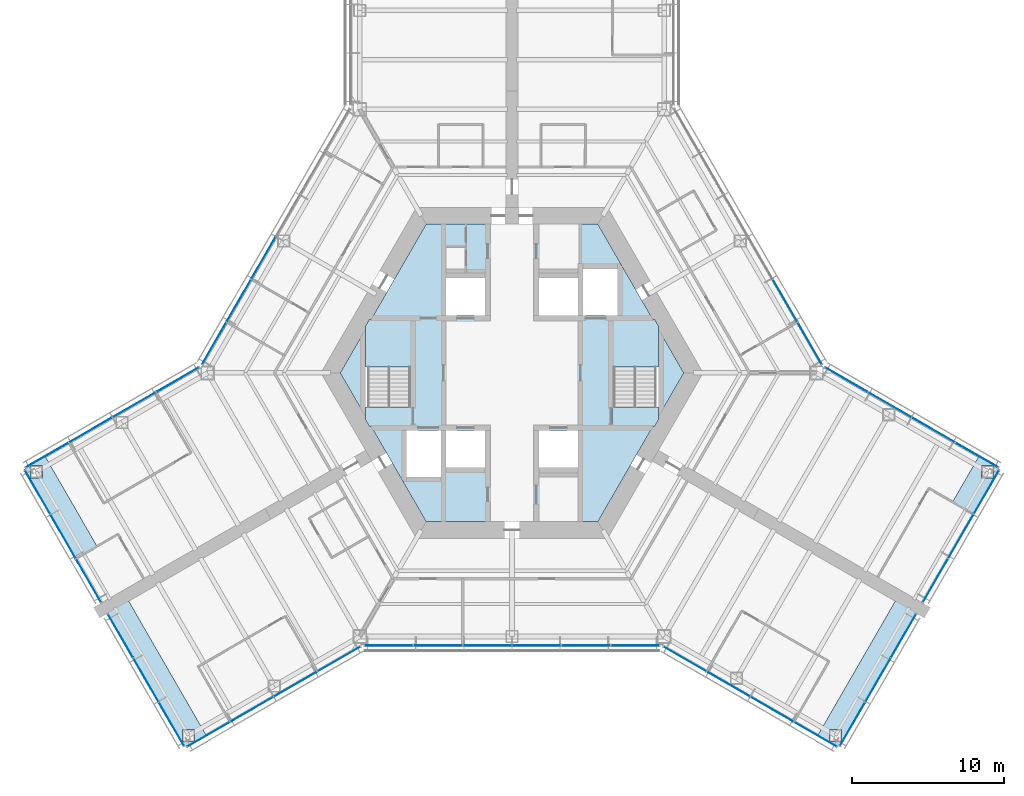
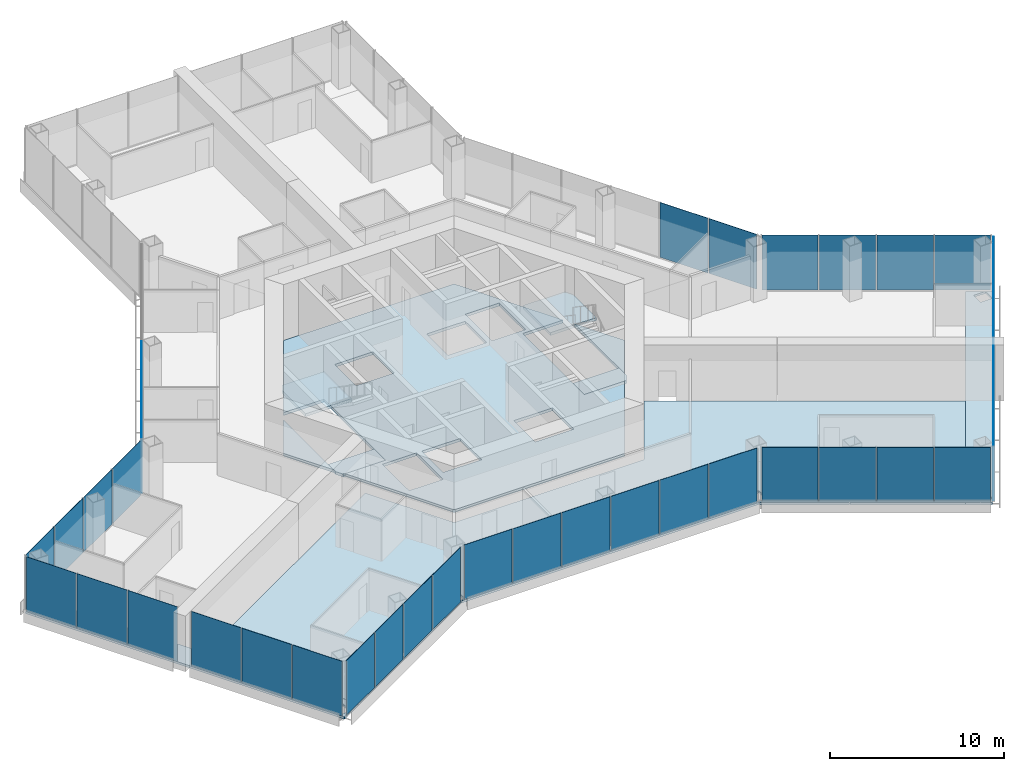
# One storey, part 10 of 18: 39 plates, 10 slabs, 13 elements without a shape of their own.
"""IFC4 building model written with IfcOpenShell, lengths in metres."""

from ifc_helpers import new_model, si_unit, direction, frame, origin, origin_2d, place, context, subcontext, project, spatial, polyline, rectangle, outline, extrude, material, layer, layer_set, type_object, element, aggregate, save


model = new_model("IFC4")

# Units and contexts
model_context = context("Model", 3, precision=1e-05, world=origin(), true_north=direction((0.0, 1.0)))
body_context = subcontext(model_context, "Body", "Model", "MODEL_VIEW")
ifc_project = project(units=[si_unit("LENGTHUNIT", "METRE"), si_unit("AREAUNIT", "SQUARE_METRE"), si_unit("VOLUMEUNIT", "CUBIC_METRE"), si_unit("PLANEANGLEUNIT", "RADIAN"), si_unit("MASSUNIT", "GRAM", prefix="KILO")], contexts=[model_context])

# Site, building, storey
site_placement = place(None, origin())
site = spatial("IfcSite", under=ifc_project, at=site_placement, CompositionType="ELEMENT")
building_placement = place(site_placement, origin())
building = spatial("IfcBuilding", under=site, at=building_placement, Name="Kasaneha Research Tower", CompositionType="ELEMENT")
storey_placement = place(building_placement, frame((0.0, 0.0, 76.800048828125)))
storey = spatial("IfcBuildingStorey", under=building, at=storey_placement, Name="L19", CompositionType="ELEMENT", Elevation=76.800048828125)

# Curtain wall, plates
ifc_material_1 = material(Name="Glass and aluminium", Category="aluminium")
curtain_wall_type = type_object("IfcCurtainWallType", Name="Low-rise office curtain wall", PredefinedType="USERDEFINED", material=ifc_material_1)
curtain_wall_1_placement = place(storey_placement, origin())
curtain_wall_1 = element("IfcCurtainWall", 1, at=curtain_wall_1_placement, inside=storey, type_object=curtain_wall_type, Name="CW-O1 L19 run 01a", ObjectType="UNITISED CURTAIN WALL", PredefinedType="USERDEFINED")
ifc_material_2 = material(Name="Laminated double glazing", Category="glass")
ifc_layer_1 = layer(ifc_material_2, 0.028076171875)
ifc_layer_set_1 = layer_set([ifc_layer_1], Name="CW-O1 glazed panel")
plate_type = type_object("IfcPlateType", Name="CW-O1 glazed panel", PredefinedType="CURTAIN_PANEL", material=ifc_layer_set_1)
plate_1_placement = place(storey_placement, frame((-19.945068359375, -23.755126953125, 0.06005859375), z_axis=(0.0, 0.0, 1.0), x_axis=(0.866025411464, 0.499999986699, 0.0)))
plate_1 = element("IfcPlate", 2, at=plate_1_placement, type_object=plate_type, Name="CW-O1 panel 1", PredefinedType="CURTAIN_PANEL", context=body_context, shape_type="SweptSolid", body=[
    extrude(rectangle(XDim=3.2197265625, YDim=0.028076171875, at=origin_2d()), origin(), (0.0, 0.0, 1.0), 3.840087890625),
])
plate_2_placement = place(storey_placement, frame((-17.091796875, -22.107666015625, 0.06005859375), z_axis=(0.0, 0.0, 1.0), x_axis=(0.866025411464, 0.499999986699, 0.0)))
plate_2 = element("IfcPlate", 3, at=plate_2_placement, type_object=plate_type, Name="CW-O1 panel 2", PredefinedType="CURTAIN_PANEL", context=body_context, shape_type="SweptSolid", body=[
    extrude(rectangle(XDim=3.249755859375, YDim=0.028076171875, at=origin_2d()), origin(), (0.0, 0.0, 1.0), 3.840087890625),
])
plate_3_placement = place(storey_placement, frame((-14.225341796875, -20.452880859375, 0.06005859375), z_axis=(0.0, 0.0, 1.0), x_axis=(0.866025411464, 0.499999986699, 0.0)))
plate_3 = element("IfcPlate", 4, at=plate_3_placement, type_object=plate_type, Name="CW-O1 panel 3", PredefinedType="CURTAIN_PANEL", context=body_context, shape_type="SweptSolid", body=[
    extrude(rectangle(XDim=3.249755859375, YDim=0.028076171875, at=origin_2d()), origin(), (0.0, 0.0, 1.0), 3.840087890625),
])
plate_4_placement = place(storey_placement, frame((-11.3720703125, -18.805419921875, 0.06005859375), z_axis=(0.0, 0.0, 1.0), x_axis=(0.866025411464, 0.499999986699, 0.0)))
plate_4 = element("IfcPlate", 5, at=plate_4_placement, type_object=plate_type, Name="CW-O1 panel 4", PredefinedType="CURTAIN_PANEL", context=body_context, shape_type="SweptSolid", body=[
    extrude(rectangle(XDim=3.2197265625, YDim=0.028076171875, at=origin_2d()), origin(), (0.0, 0.0, 1.0), 3.840087890625),
])
aggregate(curtain_wall_1, [plate_1, plate_2, plate_3, plate_4])

curtain_wall_2_placement = place(storey_placement, origin())
curtain_wall_2 = element("IfcCurtainWall", 6, at=curtain_wall_2_placement, inside=storey, type_object=curtain_wall_type, Name="CW-O1 L19 run 02a", ObjectType="UNITISED CURTAIN WALL", PredefinedType="USERDEFINED")
plate_5_placement = place(storey_placement, frame((-8.10107421875, -17.92041015625, 0.06005859375), z_axis=(0.0, 0.0, 1.0), x_axis=(1.0, 0.0, 0.0)))
plate_5 = element("IfcPlate", 7, at=plate_5_placement, type_object=plate_type, Name="CW-O1 panel 1", PredefinedType="CURTAIN_PANEL", context=body_context, shape_type="SweptSolid", body=[
    extrude(rectangle(XDim=3.156494140625, YDim=0.028076171875, at=origin_2d()), origin(), (0.0, 0.0, 1.0), 3.840087890625),
])
plate_6_placement = place(storey_placement, frame((-4.86962890625, -17.92041015625, 0.06005859375), z_axis=(0.0, 0.0, 1.0), x_axis=(1.0, 0.0, 0.0)))
plate_6 = element("IfcPlate", 8, at=plate_6_placement, type_object=plate_type, Name="CW-O1 panel 2", PredefinedType="CURTAIN_PANEL", context=body_context, shape_type="SweptSolid", body=[
    extrude(rectangle(XDim=3.1865234375, YDim=0.028076171875, at=origin_2d()), origin(), (0.0, 0.0, 1.0), 3.840087890625),
])
plate_7_placement = place(storey_placement, frame((-1.623291015625, -17.92041015625, 0.06005859375), z_axis=(0.0, 0.0, 1.0), x_axis=(1.0, 0.0, 0.0)))
plate_7 = element("IfcPlate", 9, at=plate_7_placement, type_object=plate_type, Name="CW-O1 panel 3", PredefinedType="CURTAIN_PANEL", context=body_context, shape_type="SweptSolid", body=[
    extrude(rectangle(XDim=3.1865234375, YDim=0.028076171875, at=origin_2d()), origin(), (0.0, 0.0, 1.0), 3.840087890625),
])
plate_8_placement = place(storey_placement, frame((1.623291015625, -17.92041015625, 0.06005859375), z_axis=(0.0, 0.0, 1.0), x_axis=(1.0, 0.0, 0.0)))
plate_8 = element("IfcPlate", 10, at=plate_8_placement, type_object=plate_type, Name="CW-O1 panel 4", PredefinedType="CURTAIN_PANEL", context=body_context, shape_type="SweptSolid", body=[
    extrude(rectangle(XDim=3.1865234375, YDim=0.028076171875, at=origin_2d()), origin(), (0.0, 0.0, 1.0), 3.840087890625),
])
plate_9_placement = place(storey_placement, frame((4.86962890625, -17.92041015625, 0.06005859375), z_axis=(0.0, 0.0, 1.0), x_axis=(1.0, 0.0, 0.0)))
plate_9 = element("IfcPlate", 11, at=plate_9_placement, type_object=plate_type, Name="CW-O1 panel 5", PredefinedType="CURTAIN_PANEL", context=body_context, shape_type="SweptSolid", body=[
    extrude(rectangle(XDim=3.1865234375, YDim=0.028076171875, at=origin_2d()), origin(), (0.0, 0.0, 1.0), 3.840087890625),
])
plate_10_placement = place(storey_placement, frame((8.10107421875, -17.92041015625, 0.06005859375), z_axis=(0.0, 0.0, 1.0), x_axis=(1.0, 0.0, 0.0)))
plate_10 = element("IfcPlate", 12, at=plate_10_placement, type_object=plate_type, Name="CW-O1 panel 6", PredefinedType="CURTAIN_PANEL", context=body_context, shape_type="SweptSolid", body=[
    extrude(rectangle(XDim=3.156494140625, YDim=0.028076171875, at=origin_2d()), origin(), (0.0, 0.0, 1.0), 3.840087890625),
])
aggregate(curtain_wall_2, [plate_5, plate_6, plate_7, plate_8, plate_9, plate_10])

curtain_wall_3_placement = place(storey_placement, origin())
curtain_wall_3 = element("IfcCurtainWall", 13, at=curtain_wall_3_placement, inside=storey, type_object=curtain_wall_type, Name="CW-O1 L19 run 03a", ObjectType="UNITISED CURTAIN WALL", PredefinedType="USERDEFINED")
plate_11_placement = place(storey_placement, frame((11.3720703125, -18.805419921875, 0.06005859375), z_axis=(0.0, 0.0, 1.0), x_axis=(0.866025411464, -0.499999986699, 0.0)))
plate_11 = element("IfcPlate", 14, at=plate_11_placement, type_object=plate_type, Name="CW-O1 panel 1", PredefinedType="CURTAIN_PANEL", context=body_context, shape_type="SweptSolid", body=[
    extrude(rectangle(XDim=3.2197265625, YDim=0.028076171875, at=origin_2d()), origin(), (0.0, 0.0, 1.0), 3.840087890625),
])
plate_12_placement = place(storey_placement, frame((14.225341796875, -20.452880859375, 0.06005859375), z_axis=(0.0, 0.0, 1.0), x_axis=(0.866025411464, -0.499999986699, 0.0)))
plate_12 = element("IfcPlate", 15, at=plate_12_placement, type_object=plate_type, Name="CW-O1 panel 2", PredefinedType="CURTAIN_PANEL", context=body_context, shape_type="SweptSolid", body=[
    extrude(rectangle(XDim=3.249755859375, YDim=0.028076171875, at=origin_2d()), origin(), (0.0, 0.0, 1.0), 3.840087890625),
])
plate_13_placement = place(storey_placement, frame((17.091796875, -22.107666015625, 0.06005859375), z_axis=(0.0, 0.0, 1.0), x_axis=(0.866025411464, -0.499999986699, 0.0)))
plate_13 = element("IfcPlate", 16, at=plate_13_placement, type_object=plate_type, Name="CW-O1 panel 3", PredefinedType="CURTAIN_PANEL", context=body_context, shape_type="SweptSolid", body=[
    extrude(rectangle(XDim=3.249755859375, YDim=0.028076171875, at=origin_2d()), origin(), (0.0, 0.0, 1.0), 3.840087890625),
])
plate_14_placement = place(storey_placement, frame((19.945068359375, -23.755126953125, 0.06005859375), z_axis=(0.0, 0.0, 1.0), x_axis=(0.866025411464, -0.499999986699, 0.0)))
plate_14 = element("IfcPlate", 17, at=plate_14_placement, type_object=plate_type, Name="CW-O1 panel 4", PredefinedType="CURTAIN_PANEL", context=body_context, shape_type="SweptSolid", body=[
    extrude(rectangle(XDim=3.2197265625, YDim=0.028076171875, at=origin_2d()), origin(), (0.0, 0.0, 1.0), 3.840087890625),
])
aggregate(curtain_wall_3, [plate_11, plate_12, plate_13, plate_14])

curtain_wall_4_placement = place(storey_placement, origin())
curtain_wall_4 = element("IfcCurtainWall", 18, at=curtain_wall_4_placement, inside=storey, type_object=curtain_wall_type, Name="CW-O1 L19 run 04a", ObjectType="UNITISED CURTAIN WALL", PredefinedType="USERDEFINED")
plate_15_placement = place(storey_placement, frame((22.377197265625, -23.082763671875, 0.06005859375), z_axis=(0.0, 0.0, 1.0), x_axis=(0.500000011442, 0.866025397178, 0.0)))
plate_15 = element("IfcPlate", 19, at=plate_15_placement, type_object=plate_type, Name="CW-O1 panel 1", PredefinedType="CURTAIN_PANEL", context=body_context, shape_type="SweptSolid", body=[
    extrude(rectangle(XDim=3.276611328125, YDim=0.028076171875, at=origin_2d()), origin(), (0.0, 0.0, 1.0), 3.840087890625),
])
plate_16_placement = place(storey_placement, frame((24.052978515625, -20.18017578125, 0.06005859375), z_axis=(0.0, 0.0, 1.0), x_axis=(0.500000011442, 0.866025397178, 0.0)))
plate_16 = element("IfcPlate", 20, at=plate_16_placement, type_object=plate_type, Name="CW-O1 panel 2", PredefinedType="CURTAIN_PANEL", context=body_context, shape_type="SweptSolid", body=[
    extrude(rectangle(XDim=3.306640625, YDim=0.028076171875, at=origin_2d()), origin(), (0.0, 0.0, 1.0), 3.840087890625),
])
plate_17_placement = place(storey_placement, frame((25.728759765625, -17.27734375, 0.06005859375), z_axis=(0.0, 0.0, 1.0), x_axis=(0.500000011442, 0.866025397178, 0.0)))
plate_17 = element("IfcPlate", 21, at=plate_17_placement, type_object=plate_type, Name="CW-O1 panel 3", PredefinedType="CURTAIN_PANEL", context=body_context, shape_type="SweptSolid", body=[
    extrude(rectangle(XDim=3.276611328125, YDim=0.028076171875, at=origin_2d()), origin(), (0.0, 0.0, 1.0), 3.840087890625),
])
aggregate(curtain_wall_4, [plate_15, plate_16, plate_17])

curtain_wall_5_placement = place(storey_placement, origin())
curtain_wall_5 = element("IfcCurtainWall", 22, at=curtain_wall_5_placement, inside=storey, type_object=curtain_wall_type, Name="CW-O1 L19 run 05a", ObjectType="UNITISED CURTAIN WALL", PredefinedType="USERDEFINED")
plate_18_placement = place(storey_placement, frame((27.8271484375, -13.64306640625, 0.06005859375), z_axis=(0.0, 0.0, 1.0), x_axis=(0.500000011442, 0.866025397178, 0.0)))
plate_18 = element("IfcPlate", 23, at=plate_18_placement, type_object=plate_type, Name="CW-O1 panel 1", PredefinedType="CURTAIN_PANEL", context=body_context, shape_type="SweptSolid", body=[
    extrude(rectangle(XDim=3.276611328125, YDim=0.028076171875, at=origin_2d()), origin(), (0.0, 0.0, 1.0), 3.840087890625),
])
plate_19_placement = place(storey_placement, frame((29.5029296875, -10.740478515625, 0.06005859375), z_axis=(0.0, 0.0, 1.0), x_axis=(0.500000011442, 0.866025397178, 0.0)))
plate_19 = element("IfcPlate", 24, at=plate_19_placement, type_object=plate_type, Name="CW-O1 panel 2", PredefinedType="CURTAIN_PANEL", context=body_context, shape_type="SweptSolid", body=[
    extrude(rectangle(XDim=3.306640625, YDim=0.028076171875, at=origin_2d()), origin(), (0.0, 0.0, 1.0), 3.840087890625),
])
plate_20_placement = place(storey_placement, frame((31.1787109375, -7.837890625, 0.06005859375), z_axis=(0.0, 0.0, 1.0), x_axis=(0.500000011442, 0.866025397178, 0.0)))
plate_20 = element("IfcPlate", 25, at=plate_20_placement, type_object=plate_type, Name="CW-O1 panel 3", PredefinedType="CURTAIN_PANEL", context=body_context, shape_type="SweptSolid", body=[
    extrude(rectangle(XDim=3.276611328125, YDim=0.028076171875, at=origin_2d()), origin(), (0.0, 0.0, 1.0), 3.840087890625),
])
aggregate(curtain_wall_5, [plate_18, plate_19, plate_20])

curtain_wall_6_placement = place(storey_placement, origin())
curtain_wall_6 = element("IfcCurtainWall", 26, at=curtain_wall_6_placement, inside=storey, type_object=curtain_wall_type, Name="CW-O1 L19 run 06a", ObjectType="UNITISED CURTAIN WALL", PredefinedType="USERDEFINED")
plate_21_placement = place(storey_placement, frame((30.545166015625, -5.3955078125, 0.06005859375), z_axis=(0.0, 0.0, 1.0), x_axis=(-0.866025411464, 0.499999986699, 0.0)))
plate_21 = element("IfcPlate", 27, at=plate_21_placement, type_object=plate_type, Name="CW-O1 panel 1", PredefinedType="CURTAIN_PANEL", context=body_context, shape_type="SweptSolid", body=[
    extrude(rectangle(XDim=3.2197265625, YDim=0.028076171875, at=origin_2d()), origin(), (0.0, 0.0, 1.0), 3.840087890625),
])
plate_22_placement = place(storey_placement, frame((27.69189453125, -3.748046875, 0.06005859375), z_axis=(0.0, 0.0, 1.0), x_axis=(-0.866025411464, 0.499999986699, 0.0)))
plate_22 = element("IfcPlate", 28, at=plate_22_placement, type_object=plate_type, Name="CW-O1 panel 2", PredefinedType="CURTAIN_PANEL", context=body_context, shape_type="SweptSolid", body=[
    extrude(rectangle(XDim=3.249755859375, YDim=0.028076171875, at=origin_2d()), origin(), (0.0, 0.0, 1.0), 3.840087890625),
])
plate_23_placement = place(storey_placement, frame((24.825439453125, -2.093017578125, 0.06005859375), z_axis=(0.0, 0.0, 1.0), x_axis=(-0.866025411464, 0.499999986699, 0.0)))
plate_23 = element("IfcPlate", 29, at=plate_23_placement, type_object=plate_type, Name="CW-O1 panel 3", PredefinedType="CURTAIN_PANEL", context=body_context, shape_type="SweptSolid", body=[
    extrude(rectangle(XDim=3.249755859375, YDim=0.028076171875, at=origin_2d()), origin(), (0.0, 0.0, 1.0), 3.840087890625),
])
plate_24_placement = place(storey_placement, frame((21.971923828125, -0.44580078125, 0.06005859375), z_axis=(0.0, 0.0, 1.0), x_axis=(-0.866025411464, 0.499999986699, 0.0)))
plate_24 = element("IfcPlate", 30, at=plate_24_placement, type_object=plate_type, Name="CW-O1 panel 4", PredefinedType="CURTAIN_PANEL", context=body_context, shape_type="SweptSolid", body=[
    extrude(rectangle(XDim=3.2197265625, YDim=0.028076171875, at=origin_2d()), origin(), (0.0, 0.0, 1.0), 3.840087890625),
])
aggregate(curtain_wall_6, [plate_21, plate_22, plate_23, plate_24])

curtain_wall_7_placement = place(storey_placement, origin())
curtain_wall_7 = element("IfcCurtainWall", 31, at=curtain_wall_7_placement, inside=storey, type_object=curtain_wall_type, Name="CW-O1 L19 run 07a", ObjectType="UNITISED CURTAIN WALL", PredefinedType="USERDEFINED")
plate_25_placement = place(storey_placement, frame((19.570068359375, 1.944580078125, 0.06005859375), z_axis=(0.0, 0.0, 1.0), x_axis=(-0.49999996188, 0.866025425793, 0.0)))
plate_25 = element("IfcPlate", 32, at=plate_25_placement, type_object=plate_type, Name="CW-O1 panel 1", PredefinedType="CURTAIN_PANEL", context=body_context, shape_type="SweptSolid", body=[
    extrude(rectangle(XDim=3.156494140625, YDim=0.028076171875, at=origin_2d()), origin(), (0.0, 0.0, 1.0), 3.840087890625),
])
plate_26_placement = place(storey_placement, frame((17.954345703125, 4.7431640625, 0.06005859375), z_axis=(0.0, 0.0, 1.0), x_axis=(-0.49999996188, 0.866025425793, 0.0)))
plate_26 = element("IfcPlate", 33, at=plate_26_placement, type_object=plate_type, Name="CW-O1 panel 2", PredefinedType="CURTAIN_PANEL", context=body_context, shape_type="SweptSolid", body=[
    extrude(rectangle(XDim=3.1865234375, YDim=0.028076171875, at=origin_2d()), origin(), (0.0, 0.0, 1.0), 3.840087890625),
])
aggregate(curtain_wall_7, [plate_25, plate_26])

curtain_wall_8_placement = place(storey_placement, origin())
curtain_wall_8 = element("IfcCurtainWall", 34, at=curtain_wall_8_placement, inside=storey, type_object=curtain_wall_type, Name="CW-O1 L19 run 12a", ObjectType="UNITISED CURTAIN WALL", PredefinedType="USERDEFINED")
plate_27_placement = place(storey_placement, frame((-16.331298828125, 7.554443359375, 0.06005859375), z_axis=(0.0, 0.0, 1.0), x_axis=(-0.49999996188, -0.866025425793, 0.0)))
plate_27 = element("IfcPlate", 35, at=plate_27_placement, type_object=plate_type, Name="CW-O1 panel 4", PredefinedType="CURTAIN_PANEL", context=body_context, shape_type="SweptSolid", body=[
    extrude(rectangle(XDim=3.1865234375, YDim=0.028076171875, at=origin_2d()), origin(), (0.0, 0.0, 1.0), 3.840087890625),
])
plate_28_placement = place(storey_placement, frame((-17.954345703125, 4.7431640625, 0.06005859375), z_axis=(0.0, 0.0, 1.0), x_axis=(-0.49999996188, -0.866025425793, 0.0)))
plate_28 = element("IfcPlate", 36, at=plate_28_placement, type_object=plate_type, Name="CW-O1 panel 5", PredefinedType="CURTAIN_PANEL", context=body_context, shape_type="SweptSolid", body=[
    extrude(rectangle(XDim=3.1865234375, YDim=0.028076171875, at=origin_2d()), origin(), (0.0, 0.0, 1.0), 3.840087890625),
])
plate_29_placement = place(storey_placement, frame((-19.570068359375, 1.944580078125, 0.06005859375), z_axis=(0.0, 0.0, 1.0), x_axis=(-0.49999996188, -0.866025425793, 0.0)))
plate_29 = element("IfcPlate", 37, at=plate_29_placement, type_object=plate_type, Name="CW-O1 panel 6", PredefinedType="CURTAIN_PANEL", context=body_context, shape_type="SweptSolid", body=[
    extrude(rectangle(XDim=3.156494140625, YDim=0.028076171875, at=origin_2d()), origin(), (0.0, 0.0, 1.0), 3.840087890625),
])
aggregate(curtain_wall_8, [plate_27, plate_28, plate_29])

curtain_wall_9_placement = place(storey_placement, origin())
curtain_wall_9 = element("IfcCurtainWall", 38, at=curtain_wall_9_placement, inside=storey, type_object=curtain_wall_type, Name="CW-O1 L19 run 13a", ObjectType="UNITISED CURTAIN WALL", PredefinedType="USERDEFINED")
plate_30_placement = place(storey_placement, frame((-21.971923828125, -0.44580078125, 0.06005859375), z_axis=(0.0, 0.0, 1.0), x_axis=(-0.866025411464, -0.499999986699, 0.0)))
plate_30 = element("IfcPlate", 39, at=plate_30_placement, type_object=plate_type, Name="CW-O1 panel 1", PredefinedType="CURTAIN_PANEL", context=body_context, shape_type="SweptSolid", body=[
    extrude(rectangle(XDim=3.2197265625, YDim=0.028076171875, at=origin_2d()), origin(), (0.0, 0.0, 1.0), 3.840087890625),
])
plate_31_placement = place(storey_placement, frame((-24.825439453125, -2.093017578125, 0.06005859375), z_axis=(0.0, 0.0, 1.0), x_axis=(-0.866025411464, -0.499999986699, 0.0)))
plate_31 = element("IfcPlate", 40, at=plate_31_placement, type_object=plate_type, Name="CW-O1 panel 2", PredefinedType="CURTAIN_PANEL", context=body_context, shape_type="SweptSolid", body=[
    extrude(rectangle(XDim=3.249755859375, YDim=0.028076171875, at=origin_2d()), origin(), (0.0, 0.0, 1.0), 3.840087890625),
])
plate_32_placement = place(storey_placement, frame((-27.69189453125, -3.748046875, 0.06005859375), z_axis=(0.0, 0.0, 1.0), x_axis=(-0.866025411464, -0.499999986699, 0.0)))
plate_32 = element("IfcPlate", 41, at=plate_32_placement, type_object=plate_type, Name="CW-O1 panel 3", PredefinedType="CURTAIN_PANEL", context=body_context, shape_type="SweptSolid", body=[
    extrude(rectangle(XDim=3.249755859375, YDim=0.028076171875, at=origin_2d()), origin(), (0.0, 0.0, 1.0), 3.840087890625),
])
plate_33_placement = place(storey_placement, frame((-30.545166015625, -5.3955078125, 0.06005859375), z_axis=(0.0, 0.0, 1.0), x_axis=(-0.866025411464, -0.499999986699, 0.0)))
plate_33 = element("IfcPlate", 42, at=plate_33_placement, type_object=plate_type, Name="CW-O1 panel 4", PredefinedType="CURTAIN_PANEL", context=body_context, shape_type="SweptSolid", body=[
    extrude(rectangle(XDim=3.2197265625, YDim=0.028076171875, at=origin_2d()), origin(), (0.0, 0.0, 1.0), 3.840087890625),
])
aggregate(curtain_wall_9, [plate_30, plate_31, plate_32, plate_33])

curtain_wall_10_placement = place(storey_placement, origin())
curtain_wall_10 = element("IfcCurtainWall", 43, at=curtain_wall_10_placement, inside=storey, type_object=curtain_wall_type, Name="CW-O1 L19 run 14a", ObjectType="UNITISED CURTAIN WALL", PredefinedType="USERDEFINED")
plate_34_placement = place(storey_placement, frame((-31.1787109375, -7.837890625, 0.06005859375), z_axis=(0.0, 0.0, 1.0), x_axis=(0.500000011442, -0.866025397178, 0.0)))
plate_34 = element("IfcPlate", 44, at=plate_34_placement, type_object=plate_type, Name="CW-O1 panel 1", PredefinedType="CURTAIN_PANEL", context=body_context, shape_type="SweptSolid", body=[
    extrude(rectangle(XDim=3.276611328125, YDim=0.028076171875, at=origin_2d()), origin(), (0.0, 0.0, 1.0), 3.840087890625),
])
plate_35_placement = place(storey_placement, frame((-29.5029296875, -10.740478515625, 0.06005859375), z_axis=(0.0, 0.0, 1.0), x_axis=(0.500000011442, -0.866025397178, 0.0)))
plate_35 = element("IfcPlate", 45, at=plate_35_placement, type_object=plate_type, Name="CW-O1 panel 2", PredefinedType="CURTAIN_PANEL", context=body_context, shape_type="SweptSolid", body=[
    extrude(rectangle(XDim=3.306640625, YDim=0.028076171875, at=origin_2d()), origin(), (0.0, 0.0, 1.0), 3.840087890625),
])
plate_36_placement = place(storey_placement, frame((-27.8271484375, -13.64306640625, 0.06005859375), z_axis=(0.0, 0.0, 1.0), x_axis=(0.500000011442, -0.866025397178, 0.0)))
plate_36 = element("IfcPlate", 46, at=plate_36_placement, type_object=plate_type, Name="CW-O1 panel 3", PredefinedType="CURTAIN_PANEL", context=body_context, shape_type="SweptSolid", body=[
    extrude(rectangle(XDim=3.276611328125, YDim=0.028076171875, at=origin_2d()), origin(), (0.0, 0.0, 1.0), 3.840087890625),
])
aggregate(curtain_wall_10, [plate_34, plate_35, plate_36])

curtain_wall_11_placement = place(storey_placement, origin())
curtain_wall_11 = element("IfcCurtainWall", 47, at=curtain_wall_11_placement, inside=storey, type_object=curtain_wall_type, Name="CW-O1 L19 run 15a", ObjectType="UNITISED CURTAIN WALL", PredefinedType="USERDEFINED")
plate_37_placement = place(storey_placement, frame((-25.728759765625, -17.27734375, 0.06005859375), z_axis=(0.0, 0.0, 1.0), x_axis=(0.500000011442, -0.866025397178, 0.0)))
plate_37 = element("IfcPlate", 48, at=plate_37_placement, type_object=plate_type, Name="CW-O1 panel 1", PredefinedType="CURTAIN_PANEL", context=body_context, shape_type="SweptSolid", body=[
    extrude(rectangle(XDim=3.276611328125, YDim=0.028076171875, at=origin_2d()), origin(), (0.0, 0.0, 1.0), 3.840087890625),
])
plate_38_placement = place(storey_placement, frame((-24.052978515625, -20.18017578125, 0.06005859375), z_axis=(0.0, 0.0, 1.0), x_axis=(0.500000011442, -0.866025397178, 0.0)))
plate_38 = element("IfcPlate", 49, at=plate_38_placement, type_object=plate_type, Name="CW-O1 panel 2", PredefinedType="CURTAIN_PANEL", context=body_context, shape_type="SweptSolid", body=[
    extrude(rectangle(XDim=3.306640625, YDim=0.028076171875, at=origin_2d()), origin(), (0.0, 0.0, 1.0), 3.840087890625),
])
plate_39_placement = place(storey_placement, frame((-22.377197265625, -23.082763671875, 0.06005859375), z_axis=(0.0, 0.0, 1.0), x_axis=(0.500000011442, -0.866025397178, 0.0)))
plate_39 = element("IfcPlate", 50, at=plate_39_placement, type_object=plate_type, Name="CW-O1 panel 3", PredefinedType="CURTAIN_PANEL", context=body_context, shape_type="SweptSolid", body=[
    extrude(rectangle(XDim=3.276611328125, YDim=0.028076171875, at=origin_2d()), origin(), (0.0, 0.0, 1.0), 3.840087890625),
])
aggregate(curtain_wall_11, [plate_37, plate_38, plate_39])

# Slabs
ifc_material_3 = material(Name="Concrete Fc24", Category="concrete")
ifc_layer_2 = layer(ifc_material_3, 0.199951171875)
ifc_layer_set_2 = layer_set([ifc_layer_2], Name="Core floor slab 200")
slab_type_1 = type_object("IfcSlabType", Name="Core floor slab 200", PredefinedType="FLOOR", material=ifc_layer_set_2)
slab_1_placement = place(storey_placement, frame((0.0, 0.0, -0.199951171875)))
element("IfcSlab", 51, at=slab_1_placement, inside=storey, type_object=slab_type_1, Name="Core slab L19", PredefinedType="FLOOR", context=body_context, shape_type="SweptSolid", body=[
    extrude(outline(polyline([(-11.287109375, 0.0), (-9.625, 2.87890625), (-9.625, -2.87890625), (-11.287109375, 0.0)])), origin(), (0.0, 0.0, 1.0), 0.199951171875),
])
slab_2_placement = place(storey_placement, frame((0.0, 0.0, -0.199951171875)))
element("IfcSlab", 52, at=slab_2_placement, inside=storey, type_object=slab_type_1, Name="Core slab L19", PredefinedType="FLOOR", context=body_context, shape_type="SweptSolid", body=[
    extrude(outline(polyline([(-5.6435546875, 9.77490234375), (5.6435546875, 9.77490234375), (9.251953125, 3.52490234375), (6.574951171875, 3.52490234375), (6.574951171875, -3.52490234375), (9.251953125, -3.52490234375), (5.6435546875, -9.77490234375), (-5.6435546875, -9.77490234375), (-9.251953125, -3.52490234375), (-6.574951171875, -3.52490234375), (-6.574951171875, 3.52490234375), (-9.251953125, 3.52490234375), (-5.6435546875, 9.77490234375)]), holes=[polyline([(-6.925048828125, -3.77490234375), (-6.925048828125, -6.824951171875), (-4.675048828125, -6.824951171875), (-4.675048828125, -3.77490234375), (-6.925048828125, -3.77490234375)]), polyline([(-4.324951171875, -3.77490234375), (-4.324951171875, -6.22509765625), (-1.77490234375, -6.22509765625), (-1.77490234375, -3.77490234375), (-4.324951171875, -3.77490234375)]), polyline([(1.77490234375, -3.77490234375), (1.77490234375, -6.22509765625), (4.324951171875, -6.22509765625), (4.324951171875, -3.77490234375), (1.77490234375, -3.77490234375)]), polyline([(-4.324951171875, 6.22509765625), (-4.324951171875, 3.77490234375), (-1.77490234375, 3.77490234375), (-1.77490234375, 6.22509765625), (-4.324951171875, 6.22509765625)]), polyline([(1.77490234375, 6.22509765625), (1.77490234375, 3.77490234375), (4.324951171875, 3.77490234375), (4.324951171875, 6.22509765625), (1.77490234375, 6.22509765625)]), polyline([(4.675048828125, 6.824951171875), (4.675048828125, 3.77490234375), (6.925048828125, 3.77490234375), (6.925048828125, 6.824951171875), (4.675048828125, 6.824951171875)])]), origin(), (0.0, 0.0, 1.0), 0.199951171875),
])
slab_3_placement = place(storey_placement, frame((0.0, 0.0, -0.199951171875)))
element("IfcSlab", 53, at=slab_3_placement, inside=storey, type_object=slab_type_1, Name="Core slab L19", PredefinedType="FLOOR", context=body_context, shape_type="SweptSolid", body=[
    extrude(outline(polyline([(11.287109375, 0.0), (9.625, -2.87890625), (9.625, 2.87890625), (11.287109375, 0.0)])), origin(), (0.0, 0.0, 1.0), 0.199951171875),
])
ifc_material_4 = material(Name="Concrete Fc24", Category="concrete")
ifc_layer_3 = layer(ifc_material_4, 0.14990234375)
ifc_layer_set_3 = layer_set([ifc_layer_3], Name="Floor slab 150")
slab_type_2 = type_object("IfcSlabType", Name="Floor slab 150", PredefinedType="FLOOR", material=ifc_layer_set_3)
slab_4_placement = place(storey_placement, frame((0.0, 0.0, -0.150146484375)))
element("IfcSlab", 54, at=slab_4_placement, inside=storey, type_object=slab_type_2, Name="Floor slab L19 1", PredefinedType="FLOOR", context=body_context, shape_type="SweptSolid", body=[
    extrude(outline(polyline([(-25.1923828125, -15.006591796875), (-25.18359375, -15.001708984375), (-20.108642578125, -23.791748046875), (-21.459716796875, -24.57177734375), (-21.65576171875, -24.232177734375), (-21.644287109375, -24.220703125), (-20.858154296875, -24.220703125), (-20.858154296875, -23.42041015625), (-21.658447265625, -23.42041015625), (-21.658447265625, -24.20654296875), (-21.666015625, -24.214111328125), (-31.65576171875, -6.91162109375), (-31.644287109375, -6.900146484375), (-30.858154296875, -6.900146484375), (-30.858154296875, -6.099853515625), (-31.658447265625, -6.099853515625), (-31.658447265625, -6.885986328125), (-31.666015625, -6.8935546875), (-32.009521484375, -6.298583984375), (-30.65869140625, -5.518798828125), (-25.583740234375, -14.308837890625), (-25.59228515625, -14.313720703125), (-25.1923828125, -15.006591796875)])), origin(), (0.0, 0.0, 1.0), 0.150146484375),
])
slab_5_placement = place(storey_placement, frame((0.0, 0.0, -0.150146484375)))
element("IfcSlab", 55, at=slab_5_placement, inside=storey, type_object=slab_type_2, Name="Floor slab L19 4", PredefinedType="FLOOR", context=body_context, shape_type="SweptSolid", body=[
    extrude(outline(polyline([(-6.278564453125, -10.875), (6.278564453125, -10.875), (9.218017578125, -5.783935546875), (25.18359375, -15.001708984375), (20.108642578125, -23.791748046875), (14.369384765625, -20.478271484375), (14.377197265625, -20.470703125), (15.163330078125, -20.470703125), (15.163330078125, -19.67041015625), (14.363037109375, -19.67041015625), (14.363037109375, -20.45654296875), (14.3515625, -20.468017578125), (9.8525390625, -17.87060546875), (-9.8525390625, -17.87060546875), (-15.217529296875, -20.968017578125), (-15.22900390625, -20.95654296875), (-15.22900390625, -20.17041015625), (-16.029296875, -20.17041015625), (-16.029296875, -20.970703125), (-15.2431640625, -20.970703125), (-15.235595703125, -20.978271484375), (-20.108642578125, -23.791748046875), (-25.18359375, -15.001708984375), (-9.218017578125, -5.783935546875), (-6.278564453125, -10.875)]), holes=[polyline([(0.39990234375, -17.720458984375), (0.39990234375, -16.92041015625), (-0.39990234375, -16.92041015625), (-0.39990234375, -17.720458984375), (0.39990234375, -17.720458984375)]), polyline([(-9.550048828125, -16.87060546875), (-10.449951171875, -16.87060546875), (-10.449951171875, -17.7705078125), (-9.550048828125, -17.7705078125), (-9.550048828125, -16.87060546875)]), polyline([(10.449951171875, -16.87060546875), (9.550048828125, -16.87060546875), (9.550048828125, -17.7705078125), (10.449951171875, -17.7705078125), (10.449951171875, -16.87060546875)])]), origin(), (0.0, 0.0, 1.0), 0.150146484375),
])
slab_6_placement = place(storey_placement, frame((0.0, 0.0, -0.150146484375)))
element("IfcSlab", 56, at=slab_6_placement, inside=storey, type_object=slab_type_2, Name="Floor slab L19 6", PredefinedType="FLOOR", context=body_context, shape_type="SweptSolid", body=[
    extrude(outline(polyline([(25.1923828125, -15.006591796875), (25.59228515625, -14.313720703125), (25.583740234375, -14.308837890625), (30.65869140625, -5.518798828125), (32.009521484375, -6.298583984375), (31.666015625, -6.8935546875), (31.658447265625, -6.885986328125), (31.658447265625, -6.099853515625), (30.858154296875, -6.099853515625), (30.858154296875, -6.900146484375), (31.644287109375, -6.900146484375), (31.65576171875, -6.91162109375), (21.666015625, -24.214111328125), (21.658447265625, -24.20654296875), (21.658447265625, -23.42041015625), (20.858154296875, -23.42041015625), (20.858154296875, -24.220703125), (21.644287109375, -24.220703125), (21.65576171875, -24.232177734375), (21.459716796875, -24.57177734375), (20.108642578125, -23.791748046875), (25.18359375, -15.001708984375), (25.1923828125, -15.006591796875)])), origin(), (0.0, 0.0, 1.0), 0.150146484375),
])

# Stair, slabs
ifc_material_5 = material(Name="Concrete Fc24", Category="concrete")
stair_type = type_object("IfcStairType", Name="Half-turn stair 22 risers", PredefinedType="HALF_TURN_STAIR", material=ifc_material_5)
stair_1_placement = place(storey_placement, origin())
stair_1 = element("IfcStair", 57, at=stair_1_placement, inside=storey, type_object=stair_type, Name="Stair 1 L19", PredefinedType="HALF_TURN_STAIR")
ifc_material_6 = material(Name="Concrete Fc24", Category="concrete")
ifc_layer_4 = layer(ifc_material_6, 0.199951171875)
ifc_layer_set_4 = layer_set([ifc_layer_4], Name="Stair 1 landing 200")
slab_type_3 = type_object("IfcSlabType", Name="Stair 1 landing 200", PredefinedType="LANDING", material=ifc_layer_set_4)
slab_7_placement = place(storey_placement, frame((0.0, 0.0, -0.199951171875)))
slab_7 = element("IfcSlab", 58, at=slab_7_placement, type_object=slab_type_3, Name="ST1-22R landing 1", PredefinedType="LANDING", context=body_context, shape_type="SweptSolid", body=[
    extrude(outline(polyline([(9.367431640625, -3.52490234375), (6.574951171875, -3.52490234375), (6.574951171875, -2.22509765625), (9.625, -2.22509765625), (9.625, -3.0791015625), (9.367431640625, -3.52490234375)])), origin(), (0.0, 0.0, 1.0), 0.199951171875),
])
slab_8_placement = place(storey_placement, frame((0.0, 0.0, 1.75)))
slab_8 = element("IfcSlab", 59, at=slab_8_placement, type_object=slab_type_3, Name="ST1-22R landing 2", PredefinedType="LANDING", context=body_context, shape_type="SweptSolid", body=[
    extrude(outline(polyline([(6.574951171875, 3.52490234375), (9.367431640625, 3.52490234375), (9.625, 3.0791015625), (9.625, 0.375), (6.574951171875, 0.375), (6.574951171875, 3.52490234375)])), origin(), (0.0, 0.0, 1.0), 0.199951171875),
])
aggregate(stair_1, [slab_7, slab_8])

stair_2_placement = place(storey_placement, origin())
stair_2 = element("IfcStair", 60, at=stair_2_placement, inside=storey, type_object=stair_type, Name="Stair 2 L19", PredefinedType="HALF_TURN_STAIR")
ifc_material_7 = material(Name="Concrete Fc24", Category="concrete")
ifc_layer_5 = layer(ifc_material_7, 0.199951171875)
ifc_layer_set_5 = layer_set([ifc_layer_5], Name="Stair 2 landing 200")
slab_type_4 = type_object("IfcSlabType", Name="Stair 2 landing 200", PredefinedType="LANDING", material=ifc_layer_set_5)
slab_9_placement = place(storey_placement, frame((0.0, 0.0, -0.199951171875)))
slab_9 = element("IfcSlab", 61, at=slab_9_placement, type_object=slab_type_4, Name="ST2-22R landing 1", PredefinedType="LANDING", context=body_context, shape_type="SweptSolid", body=[
    extrude(outline(polyline([(-6.574951171875, -3.52490234375), (-9.367431640625, -3.52490234375), (-9.625, -3.0791015625), (-9.625, -2.22509765625), (-6.574951171875, -2.22509765625), (-6.574951171875, -3.52490234375)])), origin(), (0.0, 0.0, 1.0), 0.199951171875),
])
slab_10_placement = place(storey_placement, frame((0.0, 0.0, 1.75)))
slab_10 = element("IfcSlab", 62, at=slab_10_placement, type_object=slab_type_4, Name="ST2-22R landing 2", PredefinedType="LANDING", context=body_context, shape_type="SweptSolid", body=[
    extrude(outline(polyline([(-6.574951171875, 0.375), (-9.625, 0.375), (-9.625, 3.0791015625), (-9.367431640625, 3.52490234375), (-6.574951171875, 3.52490234375), (-6.574951171875, 0.375)])), origin(), (0.0, 0.0, 1.0), 0.199951171875),
])
aggregate(stair_2, [slab_9, slab_10])

save(model, "model.ifc")
